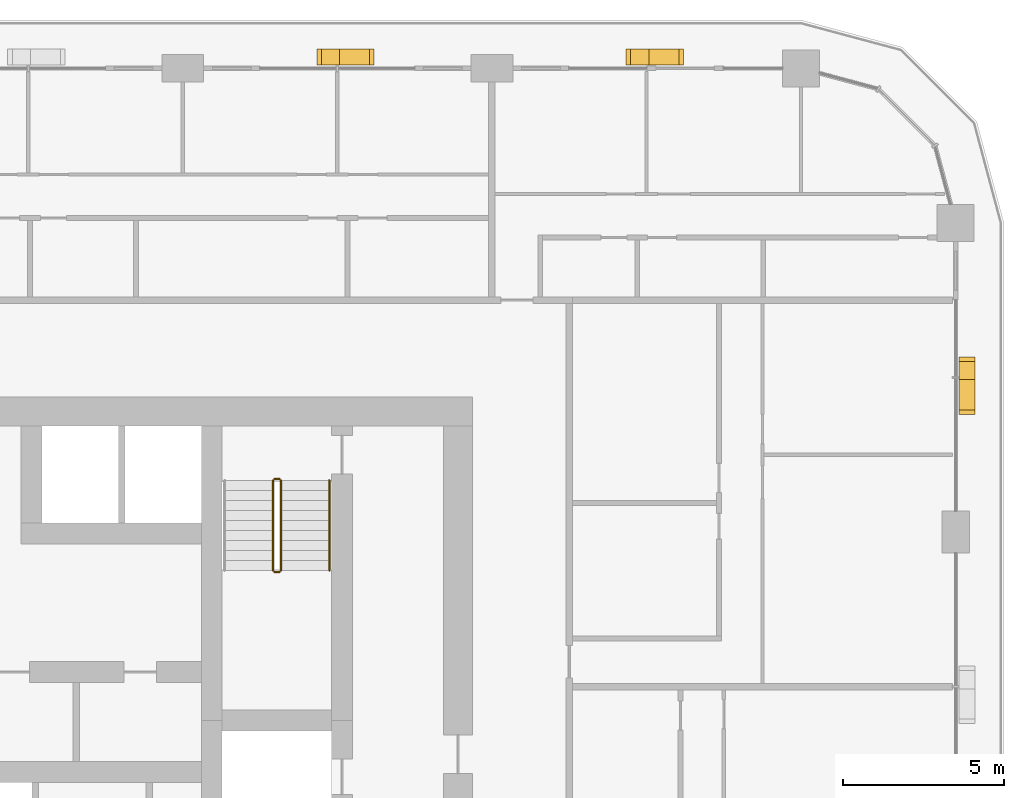
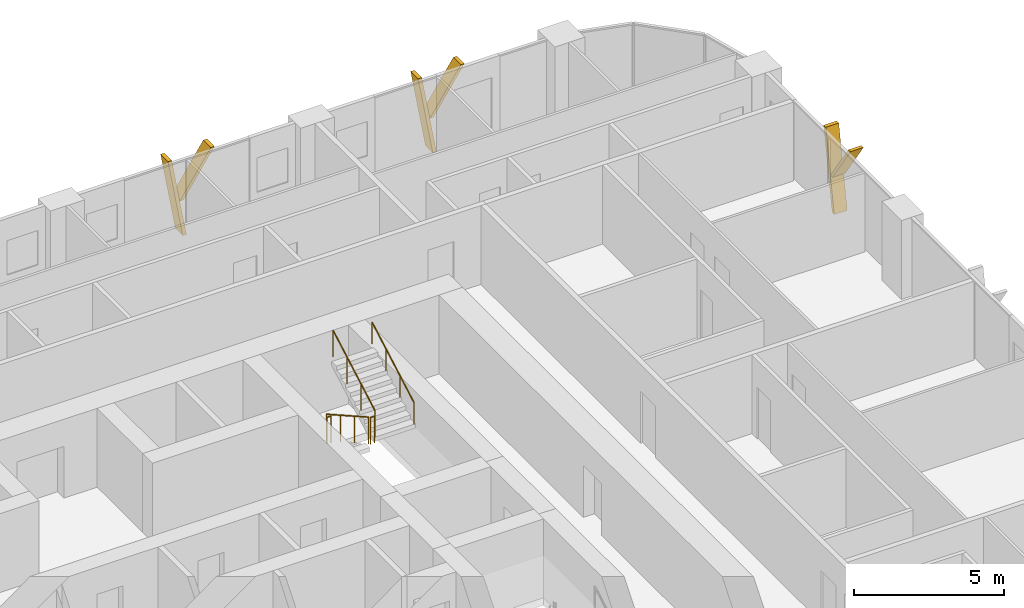
# One storey, part 22 of 22: 6 shading devices, 5 railings.
"""IFC4 building model written with IfcOpenShell, lengths in metres."""

from ifc_helpers import new_model, si_unit, direction, frame, origin, origin_2d, place, context, subcontext, project, spatial, polyline, circle, outline, extrude, material, type_object, element, save


model = new_model("IFC4")

# Units and contexts
model_context = context("Model", 3, precision=1e-05, world=origin(), true_north=direction((0.0, 1.0)))
body_context = subcontext(model_context, "Body", "Model", "MODEL_VIEW")
ifc_project = project(units=[si_unit("LENGTHUNIT", "METRE"), si_unit("AREAUNIT", "SQUARE_METRE"), si_unit("VOLUMEUNIT", "CUBIC_METRE"), si_unit("PLANEANGLEUNIT", "RADIAN"), si_unit("MASSUNIT", "GRAM", prefix="KILO")], contexts=[model_context])

# Site, building, storey
site_placement = place(None, origin())
site = spatial("IfcSite", under=ifc_project, at=site_placement, CompositionType="ELEMENT")
building_placement = place(site_placement, origin())
building = spatial("IfcBuilding", under=site, at=building_placement, Name="Madar Terraces", CompositionType="ELEMENT")
storey_placement = place(building_placement, frame((0.0, 0.0, 59.300048828125)))
storey = spatial("IfcBuildingStorey", under=building, at=storey_placement, Name="L14", CompositionType="ELEMENT", Elevation=59.300048828125)

# Shading devices
ifc_material_1 = material(Name="Aluminium, black anodised", Category="aluminium")
shading_device_type = type_object("IfcShadingDeviceType", Name="Facade fin blade 140 x 500", PredefinedType="USERDEFINED", material=ifc_material_1)
shading_device_1_placement = place(storey_placement, frame((62.75, 38.330078125, 0.0), z_axis=(0.0, 0.0, 1.0), x_axis=(0.0, 1.0, 0.0)))
element("IfcShadingDevice", 1, at=shading_device_1_placement, inside=storey, type_object=shading_device_type, Name="FIN L14 E4", ObjectType="FIN", PredefinedType="USERDEFINED", context=body_context, shape_type="SweptSolid", body=[
    extrude(outline(polyline([(0.0, 0.0), (0.139892578125, 0.0), (0.704345703125, 3.199951171875), (0.564208984375, 3.199951171875), (0.0, 0.0)])), frame((0.0, 0.25, 0.0), z_axis=(0.0, -1.0, 0.0), x_axis=(1.0, 0.0, 0.0)), (0.0, 0.0, 1.0), 0.5),
])
shading_device_2_placement = place(storey_placement, frame((62.75, 38.44384765625, 1.43994140625), z_axis=(0.0, 0.0, 1.0), x_axis=(0.0, 1.0, 0.0)))
element("IfcShadingDevice", 2, at=shading_device_2_placement, inside=storey, type_object=shading_device_type, Name="FIN L14 E4 branch", ObjectType="FIN", PredefinedType="USERDEFINED", context=body_context, shape_type="SweptSolid", body=[
    extrude(outline(polyline([(0.0, 0.0), (0.14013671875, 0.0), (-1.049560546875, 1.760009765625), (-1.189697265625, 1.760009765625), (0.0, 0.0)])), frame((0.0, 0.25, 0.0), z_axis=(0.0, -1.0, 0.0), x_axis=(1.0, 0.0, 0.0)), (0.0, 0.0, 1.0), 0.5),
])
shading_device_3_placement = place(storey_placement, frame((52.8701171875, 48.35009765625, 0.0), z_axis=(0.0, 0.0, 1.0), x_axis=(-1.0, 0.0, 0.0)))
element("IfcShadingDevice", 3, at=shading_device_3_placement, inside=storey, type_object=shading_device_type, Name="FIN L14 N1", ObjectType="FIN", PredefinedType="USERDEFINED", context=body_context, shape_type="SweptSolid", body=[
    extrude(outline(polyline([(0.0, 0.0), (0.14013671875, 0.0), (0.704345703125, 3.199951171875), (0.564208984375, 3.199951171875), (0.0, 0.0)])), frame((0.0, 0.25, 0.0), z_axis=(0.0, -1.0, 0.0), x_axis=(1.0, 0.0, 0.0)), (0.0, 0.0, 1.0), 0.5),
])
shading_device_4_placement = place(storey_placement, frame((52.756103515625, 48.35009765625, 1.43994140625), z_axis=(0.0, 0.0, 1.0), x_axis=(-1.0, 0.0, 0.0)))
element("IfcShadingDevice", 4, at=shading_device_4_placement, inside=storey, type_object=shading_device_type, Name="FIN L14 N1 branch", ObjectType="FIN", PredefinedType="USERDEFINED", context=body_context, shape_type="SweptSolid", body=[
    extrude(outline(polyline([(0.0, 0.0), (0.139892578125, 0.0), (-1.049560546875, 1.760009765625), (-1.189697265625, 1.760009765625), (0.0, 0.0)])), frame((0.0, 0.25, 0.0), z_axis=(0.0, -1.0, 0.0), x_axis=(1.0, 0.0, 0.0)), (0.0, 0.0, 1.0), 0.5),
])
shading_device_5_placement = place(storey_placement, frame((43.27001953125, 48.35009765625, 0.0), z_axis=(0.0, 0.0, 1.0), x_axis=(-1.0, 0.0, 0.0)))
element("IfcShadingDevice", 5, at=shading_device_5_placement, inside=storey, type_object=shading_device_type, Name="FIN L14 N2", ObjectType="FIN", PredefinedType="USERDEFINED", context=body_context, shape_type="SweptSolid", body=[
    extrude(outline(polyline([(0.0, 0.0), (0.14013671875, 0.0), (0.704345703125, 3.199951171875), (0.564208984375, 3.199951171875), (0.0, 0.0)])), frame((0.0, 0.25, 0.0), z_axis=(0.0, -1.0, 0.0), x_axis=(1.0, 0.0, 0.0)), (0.0, 0.0, 1.0), 0.5),
])
shading_device_6_placement = place(storey_placement, frame((43.156005859375, 48.35009765625, 1.43994140625), z_axis=(0.0, 0.0, 1.0), x_axis=(-1.0, 0.0, 0.0)))
element("IfcShadingDevice", 6, at=shading_device_6_placement, inside=storey, type_object=shading_device_type, Name="FIN L14 N2 branch", ObjectType="FIN", PredefinedType="USERDEFINED", context=body_context, shape_type="SweptSolid", body=[
    extrude(outline(polyline([(0.0, 0.0), (0.139892578125, 0.0), (-1.049560546875, 1.760009765625), (-1.189697265625, 1.760009765625), (0.0, 0.0)])), frame((0.0, 0.25, 0.0), z_axis=(0.0, -1.0, 0.0), x_axis=(1.0, 0.0, 0.0)), (0.0, 0.0, 1.0), 0.5),
])

# Railings
ifc_material_2 = material(Name="Stainless steel railing", Category="steel")
railing_type_1 = type_object("IfcRailingType", Name="Stair guard 1100", PredefinedType="GUARDRAIL", material=ifc_material_2)
railing_1_placement = place(storey_placement, frame((41.199951171875, 35.199951171875, 0.175048828125)))
element("IfcRailing", 7, at=railing_1_placement, inside=storey, type_object=railing_type_1, Name="L14 ST2 stair guard 1", PredefinedType="GUARDRAIL", context=body_context, shape_type="SweptSolid", body=[
    extrude(circle(Radius=0.02392578125, at=origin_2d()), frame((0.0, 0.0, 1.076171875), z_axis=(0.0, -0.870833779661, 0.491577591232), x_axis=(1.0, 0.0, 0.0)), (0.0, 0.0, 1.0), 3.203857421875),
    extrude(circle(Radius=0.02099609375, at=origin_2d()), origin(), (0.0, 0.0, 1.0), 1.052001953125),
    extrude(circle(Radius=0.02099609375, at=origin_2d()), frame((0.0, -0.929931640625, 0.52490234375)), (0.0, 0.0, 1.0), 1.052001953125),
    extrude(circle(Radius=0.02099609375, at=origin_2d()), frame((0.0, -1.860107421875, 1.050048828125)), (0.0, 0.0, 1.0), 1.052001953125),
    extrude(circle(Radius=0.02099609375, at=origin_2d()), frame((0.0, -2.7900390625, 1.574951171875)), (0.0, 0.0, 1.0), 1.052001953125),
])
railing_2_placement = place(storey_placement, frame((41.25, 32.360107421875, 1.75)))
element("IfcRailing", 8, at=railing_2_placement, inside=storey, type_object=railing_type_1, Name="L14 ST2 stair guard 2", PredefinedType="GUARDRAIL", context=body_context, shape_type="SweptSolid", body=[
    extrude(circle(Radius=0.02392578125, at=origin_2d()), frame((0.0, 0.0, 1.076171875), z_axis=(1.0, 0.0, 0.0), x_axis=(0.0, 1.0, 0.0)), (0.0, 0.0, 1.0), 0.14990234375),
    extrude(circle(Radius=0.02099609375, at=origin_2d()), origin(), (0.0, 0.0, 1.0), 1.052001953125),
    extrude(circle(Radius=0.02099609375, at=origin_2d()), frame((0.14990234375, 0.0, 0.0)), (0.0, 0.0, 1.0), 1.052001953125),
])
railing_3_placement = place(storey_placement, frame((41.449951171875, 32.409912109375, 1.925048828125)))
element("IfcRailing", 9, at=railing_3_placement, inside=storey, type_object=railing_type_1, Name="L14 ST2 stair guard 3", PredefinedType="GUARDRAIL", context=body_context, shape_type="SweptSolid", body=[
    extrude(circle(Radius=0.02392578125, at=origin_2d()), frame((0.0, 0.0, 1.076171875), z_axis=(0.0, 0.870833779661, 0.491577591232), x_axis=(-1.0, 0.0, 0.0)), (0.0, 0.0, 1.0), 3.203857421875),
    extrude(circle(Radius=0.02099609375, at=origin_2d()), origin(), (0.0, 0.0, 1.0), 1.052001953125),
    extrude(circle(Radius=0.02099609375, at=origin_2d()), frame((0.0, 0.929931640625, 0.52490234375)), (0.0, 0.0, 1.0), 1.052001953125),
    extrude(circle(Radius=0.02099609375, at=origin_2d()), frame((0.0, 1.860107421875, 1.050048828125)), (0.0, 0.0, 1.0), 1.052001953125),
    extrude(circle(Radius=0.02099609375, at=origin_2d()), frame((0.0, 2.7900390625, 1.574951171875)), (0.0, 0.0, 1.0), 1.052001953125),
])
railing_4_placement = place(storey_placement, frame((41.25, 35.25, 0.0)))
element("IfcRailing", 10, at=railing_4_placement, inside=storey, type_object=railing_type_1, Name="L14 ST2 stair guard 4", PredefinedType="GUARDRAIL", context=body_context, shape_type="SweptSolid", body=[
    extrude(circle(Radius=0.02392578125, at=origin_2d()), frame((0.0, 0.0, 1.076171875), z_axis=(1.0, 0.0, 0.0), x_axis=(0.0, 1.0, 0.0)), (0.0, 0.0, 1.0), 0.14990234375),
    extrude(circle(Radius=0.02099609375, at=origin_2d()), origin(), (0.0, 0.0, 1.0), 1.052001953125),
    extrude(circle(Radius=0.02099609375, at=origin_2d()), frame((0.14990234375, 0.0, 0.0)), (0.0, 0.0, 1.0), 1.052001953125),
])
ifc_material_3 = material(Name="Stainless steel railing", Category="steel")
railing_type_2 = type_object("IfcRailingType", Name="Stair handrail 900", PredefinedType="HANDRAIL", material=ifc_material_3)
railing_5_placement = place(storey_placement, frame((42.949951171875, 32.409912109375, 1.925048828125)))
element("IfcRailing", 11, at=railing_5_placement, inside=storey, type_object=railing_type_2, Name="L14 ST2 stair handrail 2", PredefinedType="HANDRAIL", context=body_context, shape_type="SweptSolid", body=[
    extrude(circle(Radius=0.02392578125, at=origin_2d()), frame((0.0, 0.0, 0.8759765625), z_axis=(0.0, 0.870833779661, 0.491577591232), x_axis=(-1.0, 0.0, 0.0)), (0.0, 0.0, 1.0), 3.203857421875),
    extrude(circle(Radius=0.02099609375, at=origin_2d()), origin(), (0.0, 0.0, 1.0), 0.851806640625),
    extrude(circle(Radius=0.02099609375, at=origin_2d()), frame((0.0, 0.929931640625, 0.52490234375)), (0.0, 0.0, 1.0), 0.851806640625),
    extrude(circle(Radius=0.02099609375, at=origin_2d()), frame((0.0, 1.860107421875, 1.050048828125)), (0.0, 0.0, 1.0), 0.851806640625),
    extrude(circle(Radius=0.02099609375, at=origin_2d()), frame((0.0, 2.7900390625, 1.574951171875)), (0.0, 0.0, 1.0), 0.851806640625),
])

save(model, "model.ifc")
